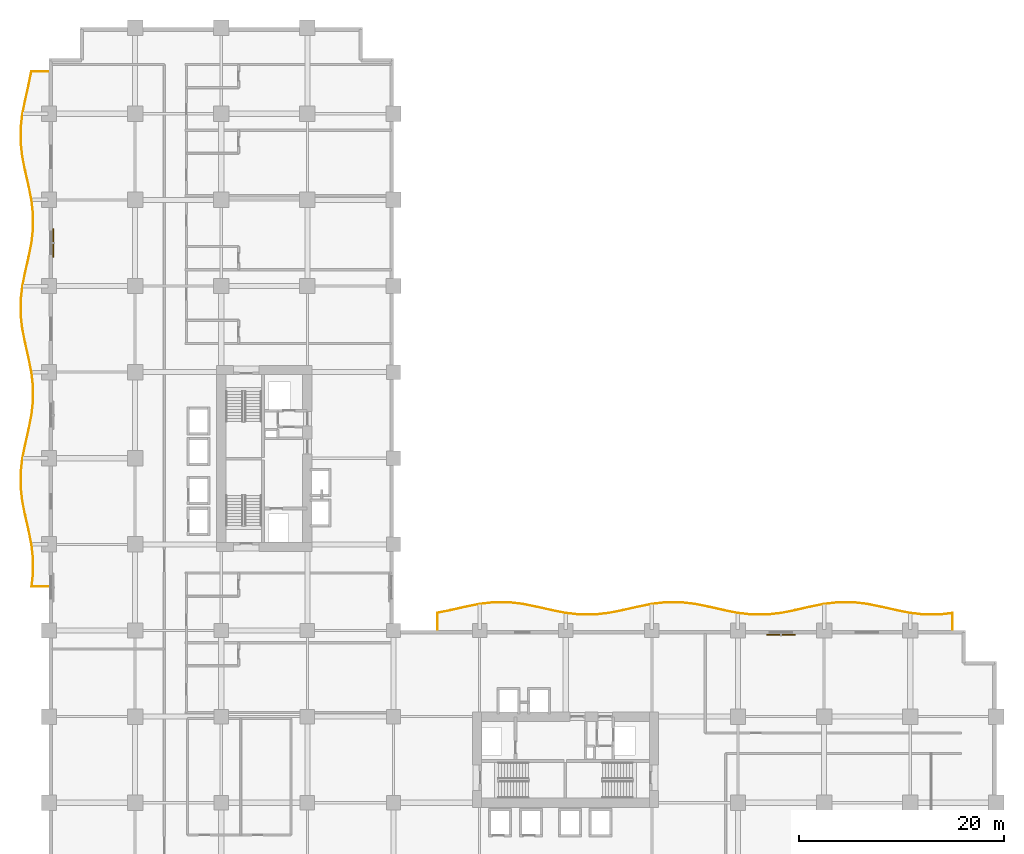
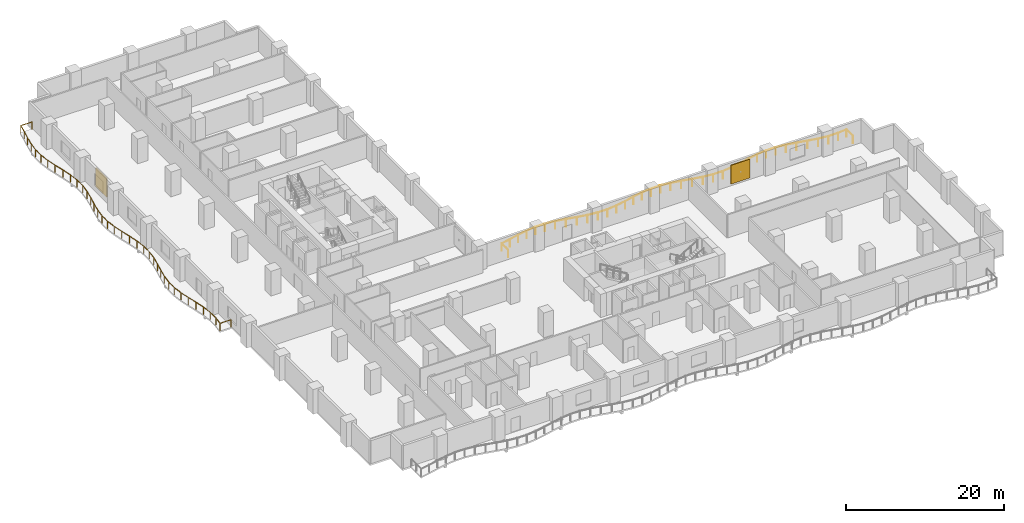
# One storey, part 20 of 20: 2 railings, 2 shading devices.
"""IFC4 building model written with IfcOpenShell, lengths in metres."""

import ifcopenshell
import ifcopenshell.guid

model = None  # the IFC model being written
_history = None  # IfcOwnerHistory: only IFC2X3 demands one
_inside = {}  # id of a spatial element -> (the spatial element, [elements in it])
_under = {}  # id of a project, library or spatial element -> (it, [spatial elements below it])
_declared = {}  # id of a project -> (the project, [libraries it declares])
_typed = {}  # id of a type object -> (the type object, [elements of that type])
_made_of = {}  # id of a material, layer set ... -> (it, [elements and type objects made of it])


def new_model(schema):
    """Start an empty IFC model of exactly this schema.

    Asked for "IFC4X3", IfcOpenShell would pick the latest addendum, in which some entities
    have other attributes; the version numbers below select the first issue.
    IFC2X3 requires an IfcOwnerHistory on every rooted entity: one is made here for all.
    """
    global model, _history
    if schema == "IFC4X3":
        model = ifcopenshell.file(schema_version=(4, 3, 0, 0))
    else:
        model = ifcopenshell.file(schema=schema)
    _inside.clear()
    _under.clear()
    _declared.clear()
    _typed.clear()
    _made_of.clear()
    _history = None
    if model.schema == "IFC2X3":
        org = make("IfcOrganization", Name="unknown")
        user = make(
            "IfcPersonAndOrganization",
            ThePerson=make("IfcPerson", FamilyName="unknown"),
            TheOrganization=org,
        )
        app = make(
            "IfcApplication",
            ApplicationDeveloper=org,
            Version="unknown",
            ApplicationFullName="unknown",
            ApplicationIdentifier="unknown",
        )
        _history = make(
            "IfcOwnerHistory",
            OwningUser=user,
            OwningApplication=app,
            ChangeAction="ADDED",
            CreationDate=0,
        )
    return model


def make(cls, **values):
    """One entity of the class cls with the attributes given. An attribute that is None is left unset."""
    return model.create_entity(
        cls, **{name: value for name, value in values.items() if value is not None}
    )


def rooted(cls, **values):
    """An entity with a GlobalId (a new one), such as an element, a storey or a relation."""
    return make(cls, GlobalId=ifcopenshell.guid.new(), OwnerHistory=_history, **values)


def si_unit(unit_type, name, prefix=None):
    """IfcSIUnit, for example si_unit("LENGTHUNIT", "METRE", prefix="MILLI")."""
    return make("IfcSIUnit", UnitType=unit_type, Prefix=prefix, Name=name)


def assignment(units):
    """IfcUnitAssignment: the units of a project."""
    return None if units is None else make("IfcUnitAssignment", Units=units)


def point(xyz):
    """IfcCartesianPoint."""
    return None if xyz is None else make("IfcCartesianPoint", Coordinates=xyz)


def direction(xyz):
    """IfcDirection."""
    return None if xyz is None else make("IfcDirection", DirectionRatios=xyz)


def frame(location, z_axis=None, x_axis=None):
    """IfcAxis2Placement3D, a coordinate frame: its origin and axes. An axis left out is left unset."""
    return make(
        "IfcAxis2Placement3D",
        Location=point(location),
        Axis=direction(z_axis),
        RefDirection=direction(x_axis),
    )


def frame_2d(location, x_axis=None):
    """IfcAxis2Placement2D, a coordinate frame in the plane: its origin and x axis."""
    return make(
        "IfcAxis2Placement2D", Location=point(location), RefDirection=direction(x_axis)
    )


def origin():
    """The frame at (0, 0, 0) with its axes left unset."""
    return frame((0.0, 0.0, 0.0))


def origin_2d():
    """The frame at (0, 0) in the plane with its x axis left unset."""
    return frame_2d((0.0, 0.0))


def place(relative_to, where):
    """IfcLocalPlacement: puts the frame where relative to a parent placement (None: the world)."""
    return make(
        "IfcLocalPlacement", PlacementRelTo=relative_to, RelativePlacement=where
    )


def context(
    kind, dimensions, precision=None, world=None, true_north=None, identifier=None
):
    """IfcGeometricRepresentationContext, for example the 3D "Model" context."""
    return make(
        "IfcGeometricRepresentationContext",
        ContextIdentifier=identifier,
        ContextType=kind,
        CoordinateSpaceDimension=dimensions,
        Precision=precision,
        WorldCoordinateSystem=world,
        TrueNorth=true_north,
    )


def subcontext(parent, identifier, kind, view, scale=None):
    """IfcGeometricRepresentationSubContext, for example "Body" below "Model"."""
    return make(
        "IfcGeometricRepresentationSubContext",
        ContextIdentifier=identifier,
        ContextType=kind,
        ParentContext=parent,
        TargetScale=scale,
        TargetView=view,
    )


def project(units=None, contexts=None):
    """IfcProject with its units and contexts."""
    return rooted(
        "IfcProject",
        Name="project",
        RepresentationContexts=contexts,
        UnitsInContext=assignment(units),
    )


def spatial(cls, under=None, at=None, **own):
    """A site, building, storey or space (cls), placed at a placement, below another one or the project."""
    s = rooted(cls, ObjectPlacement=at, **own)
    if under is not None:
        _under.setdefault(under.id(), (under, []))[1].append(s)
    return s


def profile(cls, at=None, kind="AREA", **sizes):
    """A parametric profile (cls). Its sizes go by their IFC names, for example OverallWidth=200.0."""
    return make(cls, ProfileType=kind, Position=at, **sizes)


def rectangle(**sizes):
    """IfcRectangleProfileDef."""
    return profile("IfcRectangleProfileDef", **sizes)


def circle(**sizes):
    """IfcCircleProfileDef."""
    return profile("IfcCircleProfileDef", **sizes)


def extrude(swept, where, along, depth):
    """IfcExtrudedAreaSolid: the profile swept, set in the frame where, extruded along a direction by depth."""
    return make(
        "IfcExtrudedAreaSolid",
        SweptArea=swept,
        Position=where,
        ExtrudedDirection=direction(along),
        Depth=depth,
    )


def shape(context_of_items, identifier, shape_type, items):
    """IfcShapeRepresentation: the items that make up one representation, for example the "Body"."""
    return make(
        "IfcShapeRepresentation",
        ContextOfItems=context_of_items,
        RepresentationIdentifier=identifier,
        RepresentationType=shape_type,
        Items=items,
    )


def material(Name=None, Category=None):
    """IfcMaterial."""
    return make("IfcMaterial", Name=Name, Category=Category)


def layer(
    of_material, thickness, ventilated=None, Name=None, Category=None, Priority=None
):
    """IfcMaterialLayer: one layer of a wall or slab, of a material (None: an air gap)."""
    return make(
        "IfcMaterialLayer",
        Material=of_material,
        LayerThickness=thickness,
        IsVentilated=ventilated,
        Name=Name,
        Category=Category,
        Priority=Priority,
    )


def layer_set(layers, Name=None):
    """IfcMaterialLayerSet."""
    return make("IfcMaterialLayerSet", MaterialLayers=layers, LayerSetName=Name)


def made_of(thing, what):
    """Note that an element or type object is made of a material, layer set ...; save() writes the relation."""
    if what is not None:
        _made_of.setdefault(what.id(), (what, []))[1].append(thing)
    return thing


def type_object(cls, material=None, **own):
    """A type object (cls), such as IfcWallType, which elements share."""
    return made_of(rooted(cls, **own), material)


def element(
    cls,
    number,
    at=None,
    inside=None,
    cuts=None,
    type_object=None,
    material=None,
    context=None,
    identifier="Body",
    shape_type=None,
    held_by="IfcProductDefinitionShape",
    body=None,
    shapes=None,
    **own,
):
    """One element of the class cls, such as IfcWall. Its Tag is "e" and its number.

    at: its placement. inside: the storey or other place that contains it. cuts: it is an
    opening in that element (IfcRelVoidsElement). A single representation is given by context,
    identifier, shape_type and body (its items); several are given by shapes. held_by: the class
    of the entity that holds the representations. save() writes the other relations.
    """
    e = rooted(cls, Tag="e%d" % number, ObjectPlacement=at, **own)
    if body is not None:
        shapes = [shape(context, identifier, shape_type, body)]
    if shapes is not None:
        e.Representation = make(held_by, Representations=shapes)
    if inside is not None:
        _inside.setdefault(inside.id(), (inside, []))[1].append(e)
    if cuts is not None:
        rooted(
            "IfcRelVoidsElement", RelatingBuildingElement=cuts, RelatedOpeningElement=e
        )
    if type_object is not None:
        _typed.setdefault(type_object.id(), (type_object, []))[1].append(e)
    return made_of(e, material)


def aggregate(whole, parts):
    """IfcRelAggregates: a whole, such as a stair, and the parts it consists of."""
    return rooted("IfcRelAggregates", RelatingObject=whole, RelatedObjects=parts)


def save(model, path):
    """Write the relations noted so far, then the file.

    IfcRelAggregates (storeys below a building ...), IfcRelContainedInSpatialStructure (elements
    in a storey), IfcRelDefinesByType, IfcRelAssociatesMaterial and IfcRelDeclares: one each for
    every whole, place, type object, material and project.
    """
    for whole, parts in _under.values():
        aggregate(whole, parts)
    for where, things in _inside.values():
        rooted(
            "IfcRelContainedInSpatialStructure",
            RelatedElements=things,
            RelatingStructure=where,
        )
    for kind, things in _typed.values():
        rooted("IfcRelDefinesByType", RelatedObjects=things, RelatingType=kind)
    for what, things in _made_of.values():
        rooted("IfcRelAssociatesMaterial", RelatedObjects=things, RelatingMaterial=what)
    for by, libraries in _declared.values():
        rooted("IfcRelDeclares", RelatingContext=by, RelatedDefinitions=libraries)
    model.write(path)


model = new_model("IFC4")

# Units and contexts
model_context = context("Model", 3, precision=1e-05, world=origin(), true_north=direction((0.0, 1.0)))
body_context = subcontext(model_context, "Body", "Model", "MODEL_VIEW")
ifc_project = project(units=[si_unit("LENGTHUNIT", "METRE"), si_unit("AREAUNIT", "SQUARE_METRE"), si_unit("VOLUMEUNIT", "CUBIC_METRE"), si_unit("PLANEANGLEUNIT", "RADIAN"), si_unit("MASSUNIT", "GRAM", prefix="KILO")], contexts=[model_context])

# Site, building, storey
site_placement = place(None, origin())
site = spatial("IfcSite", under=ifc_project, at=site_placement, CompositionType="ELEMENT")
building_placement = place(site_placement, origin())
building = spatial("IfcBuilding", under=site, at=building_placement, Name="Koriwani Terraces Tower", CompositionType="ELEMENT")
storey_placement = place(building_placement, frame((0.0, 0.0, 58.60009765625)))
storey = spatial("IfcBuildingStorey", under=building, at=storey_placement, Name="L13", CompositionType="ELEMENT", Elevation=58.60009765625)

# Railings
ifc_material_1 = material(Name="Steel ASTM A572 Grade 50", Category="steel")
railing_type = type_object("IfcRailingType", Name="GUARD_BALUSTRADE_1150", PredefinedType="BALUSTRADE", material=ifc_material_1)
railing_1_placement = place(storey_placement, frame((-0.080078125, 37.8798828125, 0.0)))
element("IfcRailing", 1, at=railing_1_placement, inside=storey, type_object=railing_type, Name="L13 Balcony Perimeter Safety Balustrade (W)", PredefinedType="BALUSTRADE", context=body_context, shape_type="SweptSolid", body=[
    extrude(circle(Radius=0.02392578125, at=origin_2d()), frame((0.0, 0.0, 1.1259765625), z_axis=(-1.0, 0.0, 0.0), x_axis=(0.0, -1.0, 0.0)), (0.0, 0.0, 1.0), 1.61328125),
    extrude(circle(Radius=0.02392578125, at=origin_2d()), frame((-1.61328125, 0.0, 1.1259765625), z_axis=(0.11468009264, 0.993402474505, 0.0), x_axis=(-0.993402474505, 0.11468009264, 0.0)), (0.0, 0.0, 1.0), 1.32421875),
    extrude(circle(Radius=0.02392578125, at=origin_2d()), frame((-1.46142578125, 1.3154296875, 1.1259765625), z_axis=(0.0, 1.0, 0.0), x_axis=(-1.0, 0.0, 0.0)), (0.0, 0.0, 1.0), 1.4091796875),
    extrude(circle(Radius=0.02392578125, at=origin_2d()), frame((-1.46142578125, 2.724609375, 1.1259765625), z_axis=(-0.114722179915, 0.993397614974, 0.0), x_axis=(-0.993397614974, -0.114722179915, 0.0)), (0.0, 0.0, 1.0), 1.417236328125),
    extrude(circle(Radius=0.02392578125, at=origin_2d()), frame((-1.6240234375, 4.132568359375, 1.1259765625), z_axis=(-0.196181690301, 0.980567562379, 0.0), x_axis=(-0.980567562379, -0.196181690301, 0.0)), (0.0, 0.0, 1.0), 1.432373046875),
    extrude(circle(Radius=0.02392578125, at=origin_2d()), frame((-1.905029296875, 5.537109375, 1.1259765625), z_axis=(-0.225144925641, 0.974325285753, 0.0), x_axis=(-0.974325285753, -0.225144925641, 0.0)), (0.0, 0.0, 1.0), 1.436767578125),
    extrude(circle(Radius=0.02392578125, at=origin_2d()), frame((-2.228515625, 6.93701171875, 1.1259765625), z_axis=(-0.196248091466, 0.980554275191, 0.0), x_axis=(-0.980554275191, -0.196248091466, 0.0)), (0.0, 0.0, 1.0), 1.423095703125),
    extrude(circle(Radius=0.02392578125, at=origin_2d()), frame((-2.5078125, 8.33251953125, 1.1259765625), z_axis=(-0.114809259658, 0.993387554732, 0.0), x_axis=(-0.993387554732, -0.114809259658, 0.0)), (0.0, 0.0, 1.0), 1.4013671875),
    extrude(circle(Radius=0.02392578125, at=origin_2d()), frame((-2.668701171875, 9.724609375, 1.1259765625), z_axis=(0.0, 1.0, 0.0), x_axis=(-1.0, 0.0, 0.0)), (0.0, 0.0, 1.0), 1.390869140625),
    extrude(circle(Radius=0.02392578125, at=origin_2d()), frame((-2.668701171875, 11.115478515625, 1.1259765625), z_axis=(0.114809259658, 0.993387554732, 0.0), x_axis=(-0.993387554732, 0.114809259658, 0.0)), (0.0, 0.0, 1.0), 1.4013671875),
    extrude(circle(Radius=0.02392578125, at=origin_2d()), frame((-2.5078125, 12.507568359375, 1.1259765625), z_axis=(0.196215086073, 0.980560880312, 0.0), x_axis=(-0.980560880312, 0.196215086073, 0.0)), (0.0, 0.0, 1.0), 1.42333984375),
    extrude(circle(Radius=0.02392578125, at=origin_2d()), frame((-2.228515625, 13.9033203125, 1.1259765625), z_axis=(0.225144925641, 0.974325285753, 0.0), x_axis=(-0.974325285753, 0.225144925641, 0.0)), (0.0, 0.0, 1.0), 1.436767578125),
    extrude(circle(Radius=0.02392578125, at=origin_2d()), frame((-1.905029296875, 15.30322265625, 1.1259765625), z_axis=(0.196181690301, 0.980567562379, 0.0), x_axis=(-0.980567562379, 0.196181690301, 0.0)), (0.0, 0.0, 1.0), 1.432373046875),
    extrude(circle(Radius=0.02392578125, at=origin_2d()), frame((-1.6240234375, 16.707763671875, 1.1259765625), z_axis=(0.114741814309, 0.993395347306, 0.0), x_axis=(-0.993395347306, 0.114741814309, 0.0)), (0.0, 0.0, 1.0), 1.4169921875),
    extrude(circle(Radius=0.02392578125, at=origin_2d()), frame((-1.46142578125, 18.115478515625, 1.1259765625), z_axis=(0.0, 1.0, 0.0), x_axis=(-1.0, 0.0, 0.0)), (0.0, 0.0, 1.0), 1.4091796875),
    extrude(circle(Radius=0.02392578125, at=origin_2d()), frame((-1.46142578125, 19.524658203125, 1.1259765625), z_axis=(-0.114722179915, 0.993397614974, 0.0), x_axis=(-0.993397614974, -0.114722179915, 0.0)), (0.0, 0.0, 1.0), 1.417236328125),
    extrude(circle(Radius=0.02392578125, at=origin_2d()), frame((-1.6240234375, 20.9326171875, 1.1259765625), z_axis=(-0.19621448399, 0.980561000791, 0.0), x_axis=(-0.980561000791, -0.19621448399, 0.0)), (0.0, 0.0, 1.0), 1.43212890625),
    extrude(circle(Radius=0.02392578125, at=origin_2d()), frame((-1.905029296875, 22.3369140625, 1.1259765625), z_axis=(-0.225107657095, 0.974333896935, 0.0), x_axis=(-0.974333896935, -0.225107657095, 0.0)), (0.0, 0.0, 1.0), 1.43701171875),
    extrude(circle(Radius=0.02392578125, at=origin_2d()), frame((-2.228515625, 23.737060546875, 1.1259765625), z_axis=(-0.196248091466, 0.980554275191, 0.0), x_axis=(-0.980554275191, -0.196248091466, 0.0)), (0.0, 0.0, 1.0), 1.423095703125),
    extrude(circle(Radius=0.02392578125, at=origin_2d()), frame((-2.5078125, 25.132568359375, 1.1259765625), z_axis=(-0.114809259658, 0.993387554732, 0.0), x_axis=(-0.993387554732, -0.114809259658, 0.0)), (0.0, 0.0, 1.0), 1.4013671875),
    extrude(circle(Radius=0.02392578125, at=origin_2d()), frame((-2.668701171875, 26.524658203125, 1.1259765625), z_axis=(0.0, 1.0, 0.0), x_axis=(-1.0, 0.0, 0.0)), (0.0, 0.0, 1.0), 1.390869140625),
    extrude(circle(Radius=0.02392578125, at=origin_2d()), frame((-2.668701171875, 27.91552734375, 1.1259765625), z_axis=(0.114809259658, 0.993387554732, 0.0), x_axis=(-0.993387554732, 0.114809259658, 0.0)), (0.0, 0.0, 1.0), 1.4013671875),
    extrude(circle(Radius=0.02392578125, at=origin_2d()), frame((-2.5078125, 29.3076171875, 1.1259765625), z_axis=(0.196248091466, 0.980554275191, 0.0), x_axis=(-0.980554275191, 0.196248091466, 0.0)), (0.0, 0.0, 1.0), 1.423095703125),
    extrude(circle(Radius=0.02392578125, at=origin_2d()), frame((-2.228515625, 30.703125, 1.1259765625), z_axis=(0.225107657095, 0.974333896935, 0.0), x_axis=(-0.974333896935, 0.225107657095, 0.0)), (0.0, 0.0, 1.0), 1.43701171875),
    extrude(circle(Radius=0.02392578125, at=origin_2d()), frame((-1.905029296875, 32.103271484375, 1.1259765625), z_axis=(0.196181690301, 0.980567562379, 0.0), x_axis=(-0.980567562379, 0.196181690301, 0.0)), (0.0, 0.0, 1.0), 1.432373046875),
    extrude(circle(Radius=0.02392578125, at=origin_2d()), frame((-1.6240234375, 33.5078125, 1.1259765625), z_axis=(0.114741814309, 0.993395347306, 0.0), x_axis=(-0.993395347306, 0.114741814309, 0.0)), (0.0, 0.0, 1.0), 1.4169921875),
    extrude(circle(Radius=0.02392578125, at=origin_2d()), frame((-1.46142578125, 34.91552734375, 1.1259765625), z_axis=(0.0, 1.0, 0.0), x_axis=(-1.0, 0.0, 0.0)), (0.0, 0.0, 1.0), 1.4091796875),
    extrude(circle(Radius=0.02392578125, at=origin_2d()), frame((-1.46142578125, 36.32470703125, 1.1259765625), z_axis=(-0.114741814309, 0.993395347306, 0.0), x_axis=(-0.993395347306, -0.114741814309, 0.0)), (0.0, 0.0, 1.0), 1.4169921875),
    extrude(circle(Radius=0.02392578125, at=origin_2d()), frame((-1.6240234375, 37.732421875, 1.1259765625), z_axis=(-0.196181690301, 0.980567562379, 0.0), x_axis=(-0.980567562379, -0.196181690301, 0.0)), (0.0, 0.0, 1.0), 1.432373046875),
    extrude(circle(Radius=0.02392578125, at=origin_2d()), frame((-1.905029296875, 39.136962890625, 1.1259765625), z_axis=(-0.225107657095, 0.974333896935, 0.0), x_axis=(-0.974333896935, -0.225107657095, 0.0)), (0.0, 0.0, 1.0), 1.43701171875),
    extrude(circle(Radius=0.02392578125, at=origin_2d()), frame((-2.228515625, 40.537109375, 1.1259765625), z_axis=(-0.196248091466, 0.980554275191, 0.0), x_axis=(-0.980554275191, -0.196248091466, 0.0)), (0.0, 0.0, 1.0), 1.423095703125),
    extrude(circle(Radius=0.02392578125, at=origin_2d()), frame((-2.5078125, 41.9326171875, 1.1259765625), z_axis=(-0.114809259658, 0.993387554732, 0.0), x_axis=(-0.993387554732, -0.114809259658, 0.0)), (0.0, 0.0, 1.0), 1.4013671875),
    extrude(circle(Radius=0.02392578125, at=origin_2d()), frame((-2.668701171875, 43.32470703125, 1.1259765625), z_axis=(0.0, 1.0, 0.0), x_axis=(-1.0, 0.0, 0.0)), (0.0, 0.0, 1.0), 1.390869140625),
    extrude(circle(Radius=0.02392578125, at=origin_2d()), frame((-2.668701171875, 44.715576171875, 1.1259765625), z_axis=(0.114809259658, 0.993387554732, 0.0), x_axis=(-0.993387554732, 0.114809259658, 0.0)), (0.0, 0.0, 1.0), 1.4013671875),
    extrude(circle(Radius=0.02392578125, at=origin_2d()), frame((-2.5078125, 46.107666015625, 1.1259765625), z_axis=(0.196248091466, 0.980554275191, 0.0), x_axis=(-0.980554275191, 0.196248091466, 0.0)), (0.0, 0.0, 1.0), 1.423095703125),
    extrude(circle(Radius=0.02392578125, at=origin_2d()), frame((-2.228515625, 47.503173828125, 1.1259765625), z_axis=(0.225107657095, 0.974333896935, 0.0), x_axis=(-0.974333896935, 0.225107657095, 0.0)), (0.0, 0.0, 1.0), 1.43701171875),
    extrude(circle(Radius=0.02392578125, at=origin_2d()), frame((-1.905029296875, 48.9033203125, 1.1259765625), z_axis=(0.196253874553, 0.980553117747, 0.0), x_axis=(-0.980553117747, 0.196253874553, 0.0)), (0.0, 0.0, 1.0), 1.363525390625),
    extrude(circle(Radius=0.02392578125, at=origin_2d()), frame((-1.637451171875, 50.240234375, 1.1259765625), z_axis=(1.0, 0.0, 0.0), x_axis=(0.0, 1.0, 0.0)), (0.0, 0.0, 1.0), 1.637451171875),
    extrude(circle(Radius=0.02099609375, at=origin_2d()), origin(), (0.0, 0.0, 1.0), 1.101806640625),
    extrude(circle(Radius=0.02099609375, at=origin_2d()), frame((-1.61328125, 0.0, 0.0)), (0.0, 0.0, 1.0), 1.101806640625),
    extrude(circle(Radius=0.02099609375, at=origin_2d()), frame((-1.46142578125, 1.3154296875, 0.0)), (0.0, 0.0, 1.0), 1.101806640625),
    extrude(circle(Radius=0.02099609375, at=origin_2d()), frame((-1.46142578125, 2.724609375, 0.0)), (0.0, 0.0, 1.0), 1.101806640625),
    extrude(circle(Radius=0.02099609375, at=origin_2d()), frame((-1.6240234375, 4.132568359375, 0.0)), (0.0, 0.0, 1.0), 1.101806640625),
    extrude(circle(Radius=0.02099609375, at=origin_2d()), frame((-1.905029296875, 5.537109375, 0.0)), (0.0, 0.0, 1.0), 1.101806640625),
    extrude(circle(Radius=0.02099609375, at=origin_2d()), frame((-2.228515625, 6.93701171875, 0.0)), (0.0, 0.0, 1.0), 1.101806640625),
    extrude(circle(Radius=0.02099609375, at=origin_2d()), frame((-2.5078125, 8.33251953125, 0.0)), (0.0, 0.0, 1.0), 1.101806640625),
    extrude(circle(Radius=0.02099609375, at=origin_2d()), frame((-2.668701171875, 9.724609375, 0.0)), (0.0, 0.0, 1.0), 1.101806640625),
    extrude(circle(Radius=0.02099609375, at=origin_2d()), frame((-2.668701171875, 11.115478515625, 0.0)), (0.0, 0.0, 1.0), 1.101806640625),
    extrude(circle(Radius=0.02099609375, at=origin_2d()), frame((-2.5078125, 12.507568359375, 0.0)), (0.0, 0.0, 1.0), 1.101806640625),
    extrude(circle(Radius=0.02099609375, at=origin_2d()), frame((-2.228515625, 13.9033203125, 0.0)), (0.0, 0.0, 1.0), 1.101806640625),
    extrude(circle(Radius=0.02099609375, at=origin_2d()), frame((-1.905029296875, 15.30322265625, 0.0)), (0.0, 0.0, 1.0), 1.101806640625),
    extrude(circle(Radius=0.02099609375, at=origin_2d()), frame((-1.6240234375, 16.707763671875, 0.0)), (0.0, 0.0, 1.0), 1.101806640625),
    extrude(circle(Radius=0.02099609375, at=origin_2d()), frame((-1.46142578125, 18.115478515625, 0.0)), (0.0, 0.0, 1.0), 1.101806640625),
    extrude(circle(Radius=0.02099609375, at=origin_2d()), frame((-1.46142578125, 19.524658203125, 0.0)), (0.0, 0.0, 1.0), 1.101806640625),
    extrude(circle(Radius=0.02099609375, at=origin_2d()), frame((-1.6240234375, 20.9326171875, 0.0)), (0.0, 0.0, 1.0), 1.101806640625),
    extrude(circle(Radius=0.02099609375, at=origin_2d()), frame((-1.905029296875, 22.3369140625, 0.0)), (0.0, 0.0, 1.0), 1.101806640625),
    extrude(circle(Radius=0.02099609375, at=origin_2d()), frame((-2.228515625, 23.737060546875, 0.0)), (0.0, 0.0, 1.0), 1.101806640625),
    extrude(circle(Radius=0.02099609375, at=origin_2d()), frame((-2.5078125, 25.132568359375, 0.0)), (0.0, 0.0, 1.0), 1.101806640625),
    extrude(circle(Radius=0.02099609375, at=origin_2d()), frame((-2.668701171875, 26.524658203125, 0.0)), (0.0, 0.0, 1.0), 1.101806640625),
    extrude(circle(Radius=0.02099609375, at=origin_2d()), frame((-2.668701171875, 27.91552734375, 0.0)), (0.0, 0.0, 1.0), 1.101806640625),
    extrude(circle(Radius=0.02099609375, at=origin_2d()), frame((-2.5078125, 29.3076171875, 0.0)), (0.0, 0.0, 1.0), 1.101806640625),
    extrude(circle(Radius=0.02099609375, at=origin_2d()), frame((-2.228515625, 30.703125, 0.0)), (0.0, 0.0, 1.0), 1.101806640625),
    extrude(circle(Radius=0.02099609375, at=origin_2d()), frame((-1.905029296875, 32.103271484375, 0.0)), (0.0, 0.0, 1.0), 1.101806640625),
    extrude(circle(Radius=0.02099609375, at=origin_2d()), frame((-1.6240234375, 33.5078125, 0.0)), (0.0, 0.0, 1.0), 1.101806640625),
    extrude(circle(Radius=0.02099609375, at=origin_2d()), frame((-1.46142578125, 34.91552734375, 0.0)), (0.0, 0.0, 1.0), 1.101806640625),
    extrude(circle(Radius=0.02099609375, at=origin_2d()), frame((-1.46142578125, 36.32470703125, 0.0)), (0.0, 0.0, 1.0), 1.101806640625),
    extrude(circle(Radius=0.02099609375, at=origin_2d()), frame((-1.6240234375, 37.732421875, 0.0)), (0.0, 0.0, 1.0), 1.101806640625),
    extrude(circle(Radius=0.02099609375, at=origin_2d()), frame((-1.905029296875, 39.136962890625, 0.0)), (0.0, 0.0, 1.0), 1.101806640625),
    extrude(circle(Radius=0.02099609375, at=origin_2d()), frame((-2.228515625, 40.537109375, 0.0)), (0.0, 0.0, 1.0), 1.101806640625),
    extrude(circle(Radius=0.02099609375, at=origin_2d()), frame((-2.5078125, 41.9326171875, 0.0)), (0.0, 0.0, 1.0), 1.101806640625),
    extrude(circle(Radius=0.02099609375, at=origin_2d()), frame((-2.668701171875, 43.32470703125, 0.0)), (0.0, 0.0, 1.0), 1.101806640625),
    extrude(circle(Radius=0.02099609375, at=origin_2d()), frame((-2.668701171875, 44.715576171875, 0.0)), (0.0, 0.0, 1.0), 1.101806640625),
    extrude(circle(Radius=0.02099609375, at=origin_2d()), frame((-2.5078125, 46.107666015625, 0.0)), (0.0, 0.0, 1.0), 1.101806640625),
    extrude(circle(Radius=0.02099609375, at=origin_2d()), frame((-2.228515625, 47.503173828125, 0.0)), (0.0, 0.0, 1.0), 1.101806640625),
    extrude(circle(Radius=0.02099609375, at=origin_2d()), frame((-1.905029296875, 48.9033203125, 0.0)), (0.0, 0.0, 1.0), 1.101806640625),
    extrude(circle(Radius=0.02099609375, at=origin_2d()), frame((-1.637451171875, 50.240234375, 0.0)), (0.0, 0.0, 1.0), 1.101806640625),
    extrude(circle(Radius=0.02099609375, at=origin_2d()), frame((0.0, 50.240234375, 0.0)), (0.0, 0.0, 1.0), 1.101806640625),
])
railing_2_placement = place(storey_placement, frame((88.1201171875, 33.679931640625, 0.0)))
element("IfcRailing", 2, at=railing_2_placement, inside=storey, type_object=railing_type, Name="L13 Balcony Perimeter Safety Balustrade (NE)", PredefinedType="BALUSTRADE", context=body_context, shape_type="SweptSolid", body=[
    extrude(circle(Radius=0.02392578125, at=origin_2d()), frame((0.0, 0.0, 1.1259765625), z_axis=(0.0, 1.0, 0.0), x_axis=(-1.0, 0.0, 0.0)), (0.0, 0.0, 1.0), 1.61328125),
    extrude(circle(Radius=0.02392578125, at=origin_2d()), frame((0.0, 1.61328125, 1.1259765625), z_axis=(-0.993423462716, -0.11449813852, 0.0), x_axis=(0.11449813852, -0.993423462716, 0.0)), (0.0, 0.0, 1.0), 1.32421875),
    extrude(circle(Radius=0.02392578125, at=origin_2d()), frame((-1.3154296875, 1.461669921875, 1.1259765625), z_axis=(-1.0, 0.0, 0.0), x_axis=(0.0, -1.0, 0.0)), (0.0, 0.0, 1.0), 1.4091796875),
    extrude(circle(Radius=0.02392578125, at=origin_2d()), frame((-2.724609375, 1.461669921875, 1.1259765625), z_axis=(-0.993397614974, 0.114722179915, 0.0), x_axis=(-0.114722179915, -0.993397614974, 0.0)), (0.0, 0.0, 1.0), 1.417236328125),
    extrude(circle(Radius=0.02392578125, at=origin_2d()), frame((-4.132568359375, 1.624267578125, 1.1259765625), z_axis=(-0.980600338098, 0.196017797464, 0.0), x_axis=(-0.196017797464, -0.980600338098, 0.0)), (0.0, 0.0, 1.0), 1.432373046875),
    extrude(circle(Radius=0.02392578125, at=origin_2d()), frame((-5.537109375, 1.905029296875, 1.1259765625), z_axis=(-0.974287999277, 0.22530622376, 0.0), x_axis=(-0.22530622376, -0.974287999277, 0.0)), (0.0, 0.0, 1.0), 1.436767578125),
    extrude(circle(Radius=0.02392578125, at=origin_2d()), frame((-6.93701171875, 2.228759765625, 1.1259765625), z_axis=(-0.980587273263, 0.196083144391, 0.0), x_axis=(-0.196083144391, -0.980587273263, 0.0)), (0.0, 0.0, 1.0), 1.423095703125),
    extrude(circle(Radius=0.02392578125, at=origin_2d()), frame((-8.33251953125, 2.5078125, 1.1259765625), z_axis=(-0.993387554732, 0.114809259658, 0.0), x_axis=(-0.114809259658, -0.993387554732, 0.0)), (0.0, 0.0, 1.0), 1.4013671875),
    extrude(circle(Radius=0.02392578125, at=origin_2d()), frame((-9.724609375, 2.668701171875, 1.1259765625), z_axis=(-1.0, 0.0, 0.0), x_axis=(0.0, -1.0, 0.0)), (0.0, 0.0, 1.0), 1.390869140625),
    extrude(circle(Radius=0.02392578125, at=origin_2d()), frame((-11.115478515625, 2.668701171875, 1.1259765625), z_axis=(-0.993387554732, -0.114809259658, 0.0), x_axis=(0.114809259658, -0.993387554732, 0.0)), (0.0, 0.0, 1.0), 1.4013671875),
    extrude(circle(Radius=0.02392578125, at=origin_2d()), frame((-12.507568359375, 2.5078125, 1.1259765625), z_axis=(-0.980593867507, -0.19605016452, 0.0), x_axis=(0.19605016452, -0.980593867507, 0.0)), (0.0, 0.0, 1.0), 1.42333984375),
    extrude(circle(Radius=0.02392578125, at=origin_2d()), frame((-13.9033203125, 2.228759765625, 1.1259765625), z_axis=(-0.974287999277, -0.22530622376, 0.0), x_axis=(0.22530622376, -0.974287999277, 0.0)), (0.0, 0.0, 1.0), 1.436767578125),
    extrude(circle(Radius=0.02392578125, at=origin_2d()), frame((-15.30322265625, 1.905029296875, 1.1259765625), z_axis=(-0.980600338098, -0.196017797464, 0.0), x_axis=(0.196017797464, -0.980600338098, 0.0)), (0.0, 0.0, 1.0), 1.432373046875),
    extrude(circle(Radius=0.02392578125, at=origin_2d()), frame((-16.707763671875, 1.624267578125, 1.1259765625), z_axis=(-0.993395347306, -0.114741814309, 0.0), x_axis=(0.114741814309, -0.993395347306, 0.0)), (0.0, 0.0, 1.0), 1.4169921875),
    extrude(circle(Radius=0.02392578125, at=origin_2d()), frame((-18.115478515625, 1.461669921875, 1.1259765625), z_axis=(-1.0, 0.0, 0.0), x_axis=(0.0, -1.0, 0.0)), (0.0, 0.0, 1.0), 1.4091796875),
    extrude(circle(Radius=0.02392578125, at=origin_2d()), frame((-19.524658203125, 1.461669921875, 1.1259765625), z_axis=(-0.993397614974, 0.114722179915, 0.0), x_axis=(-0.114722179915, -0.993397614974, 0.0)), (0.0, 0.0, 1.0), 1.417236328125),
    extrude(circle(Radius=0.02392578125, at=origin_2d()), frame((-20.9326171875, 1.624267578125, 1.1259765625), z_axis=(-0.980593787249, 0.196050565949, 0.0), x_axis=(-0.196050565949, -0.980593787249, 0.0)), (0.0, 0.0, 1.0), 1.43212890625),
    extrude(circle(Radius=0.02392578125, at=origin_2d()), frame((-22.3369140625, 1.905029296875, 1.1259765625), z_axis=(-0.974296622472, 0.225268931368, 0.0), x_axis=(-0.225268931368, -0.974296622472, 0.0)), (0.0, 0.0, 1.0), 1.43701171875),
    extrude(circle(Radius=0.02392578125, at=origin_2d()), frame((-23.737060546875, 2.228759765625, 1.1259765625), z_axis=(-0.980587273263, 0.196083144391, 0.0), x_axis=(-0.196083144391, -0.980587273263, 0.0)), (0.0, 0.0, 1.0), 1.423095703125),
    extrude(circle(Radius=0.02392578125, at=origin_2d()), frame((-25.132568359375, 2.5078125, 1.1259765625), z_axis=(-0.993387554732, 0.114809259658, 0.0), x_axis=(-0.114809259658, -0.993387554732, 0.0)), (0.0, 0.0, 1.0), 1.4013671875),
    extrude(circle(Radius=0.02392578125, at=origin_2d()), frame((-26.524658203125, 2.668701171875, 1.1259765625), z_axis=(-1.0, 0.0, 0.0), x_axis=(0.0, -1.0, 0.0)), (0.0, 0.0, 1.0), 1.390869140625),
    extrude(circle(Radius=0.02392578125, at=origin_2d()), frame((-27.91552734375, 2.668701171875, 1.1259765625), z_axis=(-0.993387554732, -0.114809259658, 0.0), x_axis=(0.114809259658, -0.993387554732, 0.0)), (0.0, 0.0, 1.0), 1.4013671875),
    extrude(circle(Radius=0.02392578125, at=origin_2d()), frame((-29.3076171875, 2.5078125, 1.1259765625), z_axis=(-0.980587273263, -0.196083144391, 0.0), x_axis=(0.196083144391, -0.980587273263, 0.0)), (0.0, 0.0, 1.0), 1.423095703125),
    extrude(circle(Radius=0.02392578125, at=origin_2d()), frame((-30.703125, 2.228759765625, 1.1259765625), z_axis=(-0.974296622472, -0.225268931368, 0.0), x_axis=(0.225268931368, -0.974296622472, 0.0)), (0.0, 0.0, 1.0), 1.43701171875),
    extrude(circle(Radius=0.02392578125, at=origin_2d()), frame((-32.103271484375, 1.905029296875, 1.1259765625), z_axis=(-0.980600338098, -0.196017797464, 0.0), x_axis=(0.196017797464, -0.980600338098, 0.0)), (0.0, 0.0, 1.0), 1.432373046875),
    extrude(circle(Radius=0.02392578125, at=origin_2d()), frame((-33.5078125, 1.624267578125, 1.1259765625), z_axis=(-0.993395347306, -0.114741814309, 0.0), x_axis=(0.114741814309, -0.993395347306, 0.0)), (0.0, 0.0, 1.0), 1.4169921875),
    extrude(circle(Radius=0.02392578125, at=origin_2d()), frame((-34.91552734375, 1.461669921875, 1.1259765625), z_axis=(-1.0, 0.0, 0.0), x_axis=(0.0, -1.0, 0.0)), (0.0, 0.0, 1.0), 1.4091796875),
    extrude(circle(Radius=0.02392578125, at=origin_2d()), frame((-36.32470703125, 1.461669921875, 1.1259765625), z_axis=(-0.993395347306, 0.114741814309, 0.0), x_axis=(-0.114741814309, -0.993395347306, 0.0)), (0.0, 0.0, 1.0), 1.4169921875),
    extrude(circle(Radius=0.02392578125, at=origin_2d()), frame((-37.732421875, 1.624267578125, 1.1259765625), z_axis=(-0.980600338098, 0.196017797464, 0.0), x_axis=(-0.196017797464, -0.980600338098, 0.0)), (0.0, 0.0, 1.0), 1.432373046875),
    extrude(circle(Radius=0.02392578125, at=origin_2d()), frame((-39.136962890625, 1.905029296875, 1.1259765625), z_axis=(-0.974296622472, 0.225268931368, 0.0), x_axis=(-0.225268931368, -0.974296622472, 0.0)), (0.0, 0.0, 1.0), 1.43701171875),
    extrude(circle(Radius=0.02392578125, at=origin_2d()), frame((-40.537109375, 2.228759765625, 1.1259765625), z_axis=(-0.980587273263, 0.196083144391, 0.0), x_axis=(-0.196083144391, -0.980587273263, 0.0)), (0.0, 0.0, 1.0), 1.423095703125),
    extrude(circle(Radius=0.02392578125, at=origin_2d()), frame((-41.9326171875, 2.5078125, 1.1259765625), z_axis=(-0.993387554732, 0.114809259658, 0.0), x_axis=(-0.114809259658, -0.993387554732, 0.0)), (0.0, 0.0, 1.0), 1.4013671875),
    extrude(circle(Radius=0.02392578125, at=origin_2d()), frame((-43.32470703125, 2.668701171875, 1.1259765625), z_axis=(-1.0, 0.0, 0.0), x_axis=(0.0, -1.0, 0.0)), (0.0, 0.0, 1.0), 1.390869140625),
    extrude(circle(Radius=0.02392578125, at=origin_2d()), frame((-44.715576171875, 2.668701171875, 1.1259765625), z_axis=(-0.993387554732, -0.114809259658, 0.0), x_axis=(0.114809259658, -0.993387554732, 0.0)), (0.0, 0.0, 1.0), 1.4013671875),
    extrude(circle(Radius=0.02392578125, at=origin_2d()), frame((-46.107666015625, 2.5078125, 1.1259765625), z_axis=(-0.980587273263, -0.196083144391, 0.0), x_axis=(0.196083144391, -0.980587273263, 0.0)), (0.0, 0.0, 1.0), 1.423095703125),
    extrude(circle(Radius=0.02392578125, at=origin_2d()), frame((-47.503173828125, 2.228759765625, 1.1259765625), z_axis=(-0.974296622472, -0.225268931368, 0.0), x_axis=(0.225268931368, -0.974296622472, 0.0)), (0.0, 0.0, 1.0), 1.43701171875),
    extrude(circle(Radius=0.02392578125, at=origin_2d()), frame((-48.9033203125, 1.905029296875, 1.1259765625), z_axis=(-0.980553117747, -0.196253874553, 0.0), x_axis=(0.196253874553, -0.980553117747, 0.0)), (0.0, 0.0, 1.0), 1.363525390625),
    extrude(circle(Radius=0.02392578125, at=origin_2d()), frame((-50.240234375, 1.637451171875, 1.1259765625), z_axis=(0.0, -1.0, 0.0), x_axis=(1.0, 0.0, 0.0)), (0.0, 0.0, 1.0), 1.637451171875),
    extrude(circle(Radius=0.02099609375, at=origin_2d()), origin(), (0.0, 0.0, 1.0), 1.101806640625),
    extrude(circle(Radius=0.02099609375, at=origin_2d()), frame((0.0, 1.61328125, 0.0)), (0.0, 0.0, 1.0), 1.101806640625),
    extrude(circle(Radius=0.02099609375, at=origin_2d()), frame((-1.3154296875, 1.461669921875, 0.0)), (0.0, 0.0, 1.0), 1.101806640625),
    extrude(circle(Radius=0.02099609375, at=origin_2d()), frame((-2.724609375, 1.461669921875, 0.0)), (0.0, 0.0, 1.0), 1.101806640625),
    extrude(circle(Radius=0.02099609375, at=origin_2d()), frame((-4.132568359375, 1.624267578125, 0.0)), (0.0, 0.0, 1.0), 1.101806640625),
    extrude(circle(Radius=0.02099609375, at=origin_2d()), frame((-5.537109375, 1.905029296875, 0.0)), (0.0, 0.0, 1.0), 1.101806640625),
    extrude(circle(Radius=0.02099609375, at=origin_2d()), frame((-6.93701171875, 2.228759765625, 0.0)), (0.0, 0.0, 1.0), 1.101806640625),
    extrude(circle(Radius=0.02099609375, at=origin_2d()), frame((-8.33251953125, 2.5078125, 0.0)), (0.0, 0.0, 1.0), 1.101806640625),
    extrude(circle(Radius=0.02099609375, at=origin_2d()), frame((-9.724609375, 2.668701171875, 0.0)), (0.0, 0.0, 1.0), 1.101806640625),
    extrude(circle(Radius=0.02099609375, at=origin_2d()), frame((-11.115478515625, 2.668701171875, 0.0)), (0.0, 0.0, 1.0), 1.101806640625),
    extrude(circle(Radius=0.02099609375, at=origin_2d()), frame((-12.507568359375, 2.5078125, 0.0)), (0.0, 0.0, 1.0), 1.101806640625),
    extrude(circle(Radius=0.02099609375, at=origin_2d()), frame((-13.9033203125, 2.228759765625, 0.0)), (0.0, 0.0, 1.0), 1.101806640625),
    extrude(circle(Radius=0.02099609375, at=origin_2d()), frame((-15.30322265625, 1.905029296875, 0.0)), (0.0, 0.0, 1.0), 1.101806640625),
    extrude(circle(Radius=0.02099609375, at=origin_2d()), frame((-16.707763671875, 1.624267578125, 0.0)), (0.0, 0.0, 1.0), 1.101806640625),
    extrude(circle(Radius=0.02099609375, at=origin_2d()), frame((-18.115478515625, 1.461669921875, 0.0)), (0.0, 0.0, 1.0), 1.101806640625),
    extrude(circle(Radius=0.02099609375, at=origin_2d()), frame((-19.524658203125, 1.461669921875, 0.0)), (0.0, 0.0, 1.0), 1.101806640625),
    extrude(circle(Radius=0.02099609375, at=origin_2d()), frame((-20.9326171875, 1.624267578125, 0.0)), (0.0, 0.0, 1.0), 1.101806640625),
    extrude(circle(Radius=0.02099609375, at=origin_2d()), frame((-22.3369140625, 1.905029296875, 0.0)), (0.0, 0.0, 1.0), 1.101806640625),
    extrude(circle(Radius=0.02099609375, at=origin_2d()), frame((-23.737060546875, 2.228759765625, 0.0)), (0.0, 0.0, 1.0), 1.101806640625),
    extrude(circle(Radius=0.02099609375, at=origin_2d()), frame((-25.132568359375, 2.5078125, 0.0)), (0.0, 0.0, 1.0), 1.101806640625),
    extrude(circle(Radius=0.02099609375, at=origin_2d()), frame((-26.524658203125, 2.668701171875, 0.0)), (0.0, 0.0, 1.0), 1.101806640625),
    extrude(circle(Radius=0.02099609375, at=origin_2d()), frame((-27.91552734375, 2.668701171875, 0.0)), (0.0, 0.0, 1.0), 1.101806640625),
    extrude(circle(Radius=0.02099609375, at=origin_2d()), frame((-29.3076171875, 2.5078125, 0.0)), (0.0, 0.0, 1.0), 1.101806640625),
    extrude(circle(Radius=0.02099609375, at=origin_2d()), frame((-30.703125, 2.228759765625, 0.0)), (0.0, 0.0, 1.0), 1.101806640625),
    extrude(circle(Radius=0.02099609375, at=origin_2d()), frame((-32.103271484375, 1.905029296875, 0.0)), (0.0, 0.0, 1.0), 1.101806640625),
    extrude(circle(Radius=0.02099609375, at=origin_2d()), frame((-33.5078125, 1.624267578125, 0.0)), (0.0, 0.0, 1.0), 1.101806640625),
    extrude(circle(Radius=0.02099609375, at=origin_2d()), frame((-34.91552734375, 1.461669921875, 0.0)), (0.0, 0.0, 1.0), 1.101806640625),
    extrude(circle(Radius=0.02099609375, at=origin_2d()), frame((-36.32470703125, 1.461669921875, 0.0)), (0.0, 0.0, 1.0), 1.101806640625),
    extrude(circle(Radius=0.02099609375, at=origin_2d()), frame((-37.732421875, 1.624267578125, 0.0)), (0.0, 0.0, 1.0), 1.101806640625),
    extrude(circle(Radius=0.02099609375, at=origin_2d()), frame((-39.136962890625, 1.905029296875, 0.0)), (0.0, 0.0, 1.0), 1.101806640625),
    extrude(circle(Radius=0.02099609375, at=origin_2d()), frame((-40.537109375, 2.228759765625, 0.0)), (0.0, 0.0, 1.0), 1.101806640625),
    extrude(circle(Radius=0.02099609375, at=origin_2d()), frame((-41.9326171875, 2.5078125, 0.0)), (0.0, 0.0, 1.0), 1.101806640625),
    extrude(circle(Radius=0.02099609375, at=origin_2d()), frame((-43.32470703125, 2.668701171875, 0.0)), (0.0, 0.0, 1.0), 1.101806640625),
    extrude(circle(Radius=0.02099609375, at=origin_2d()), frame((-44.715576171875, 2.668701171875, 0.0)), (0.0, 0.0, 1.0), 1.101806640625),
    extrude(circle(Radius=0.02099609375, at=origin_2d()), frame((-46.107666015625, 2.5078125, 0.0)), (0.0, 0.0, 1.0), 1.101806640625),
    extrude(circle(Radius=0.02099609375, at=origin_2d()), frame((-47.503173828125, 2.228759765625, 0.0)), (0.0, 0.0, 1.0), 1.101806640625),
    extrude(circle(Radius=0.02099609375, at=origin_2d()), frame((-48.9033203125, 1.905029296875, 0.0)), (0.0, 0.0, 1.0), 1.101806640625),
    extrude(circle(Radius=0.02099609375, at=origin_2d()), frame((-50.240234375, 1.637451171875, 0.0)), (0.0, 0.0, 1.0), 1.101806640625),
    extrude(circle(Radius=0.02099609375, at=origin_2d()), frame((-50.240234375, 0.0, 0.0)), (0.0, 0.0, 1.0), 1.101806640625),
])

# Shading devices
ifc_material_2 = material(Name="Extruded Terracotta Clay", Category="masonry")
ifc_layer = layer(ifc_material_2, 0.1201171875, Name="Extruded Terracotta Clay")
ifc_layer_set = layer_set([ifc_layer], Name="Extruded Terracotta Clay")
shading_device_type = type_object("IfcShadingDeviceType", Name="TERRACOTTA_BAGUETTE_SCREEN_2800", PredefinedType="USERDEFINED", material=ifc_layer_set)
for number, where, z_axis, x_axis, name in (
    (3, (0.405029296875, 71.39990234375, 0.324951171875), (0.0, 0.0, 1.0), (0.0, 1.0, 0.0), "L13 Extruded Terracotta Baguette Screen (W-24)"),
    (4, (71.39990234375, 33.195068359375, 0.324951171875), (0.0, 0.0, 1.0), (1.0, 0.0, 0.0), "L13 Extruded Terracotta Baguette Screen (NE-14)"),
):
    element("IfcShadingDevice", number, at=place(storey_placement, frame(where, z_axis=z_axis, x_axis=x_axis)), inside=storey, type_object=shading_device_type, Name=name, ObjectType="BAGUETTE", PredefinedType="USERDEFINED", context=body_context, shape_type="SweptSolid", body=[
        extrude(rectangle(XDim=2.760009765625, YDim=0.1201171875, at=origin_2d()), origin(), (0.0, 0.0, 1.0), 2.89990234375),
    ])

save(model, "model.ifc")
